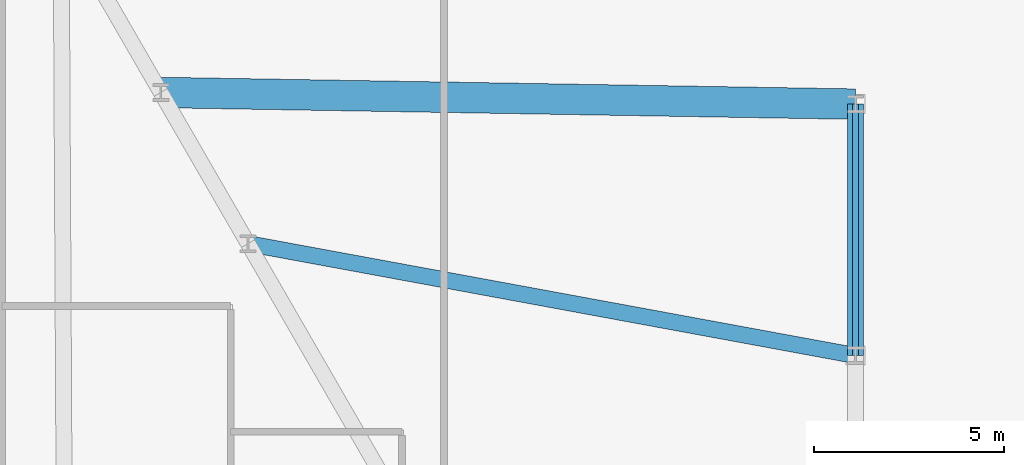
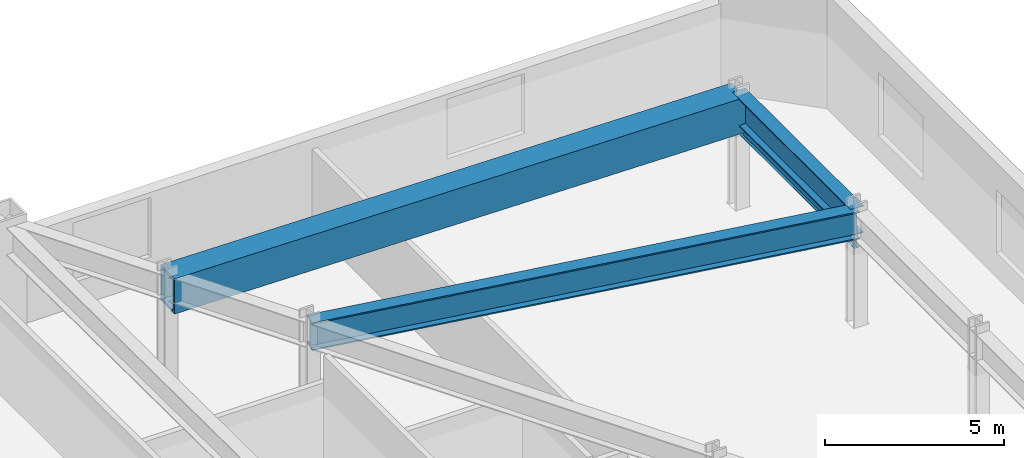
# One storey, part 11 of 22: 4 beams.
"""IFC4 building model written with IfcOpenShell, lengths in metres."""

from ifc_helpers import new_model, si_unit, direction, frame, origin, origin_2d, place, context, subcontext, project, spatial, hollow_rectangle, i_section, extrude, material, material_profile, profile_set, type_object, element, save


model = new_model("IFC4")

# Units and contexts
model_context = context("Model", 3, precision=1e-05, world=origin(), true_north=direction((0.0, 1.0)))
body_context = subcontext(model_context, "Body", "Model", "MODEL_VIEW")
ifc_project = project(units=[si_unit("LENGTHUNIT", "METRE"), si_unit("AREAUNIT", "SQUARE_METRE"), si_unit("VOLUMEUNIT", "CUBIC_METRE"), si_unit("PLANEANGLEUNIT", "RADIAN"), si_unit("MASSUNIT", "GRAM", prefix="KILO")], contexts=[model_context])

# Site, building, storey
site_placement = place(None, origin())
site = spatial("IfcSite", under=ifc_project, at=site_placement, CompositionType="ELEMENT")
building_placement = place(site_placement, origin())
building = spatial("IfcBuilding", under=site, at=building_placement, Name="Oramaril Tower", CompositionType="ELEMENT")
storey_placement = place(building_placement, frame((0.0, 0.0, 14.10009765625)))
storey = spatial("IfcBuildingStorey", under=building, at=storey_placement, Name="L03", CompositionType="ELEMENT", Elevation=14.10009765625)

# Beams
ifc_material_1 = material(Name="Steel ASTM A572 Gr 50", Category="steel")
ifc_material_profile_1 = material_profile(ifc_material_1, i_section(OverallWidth=0.1650390625, OverallDepth=0.31005859375, WebThickness=0.005859375, FlangeThickness=0.009765625, at=origin_2d()), Name="W12X26")
ifc_profile_set_1 = profile_set([ifc_material_profile_1], Name="Steel ASTM A572 Gr 50")
beam_type_1 = type_object("IfcBeamType", Name="BT-LN1", PredefinedType="LINTEL", material=ifc_profile_set_1)
beam_1_placement = place(storey_placement, frame((66.39990234375, 32.199951171875, 2.69482421875), z_axis=(0.0, 1.0, 0.0), x_axis=(-1.0, 0.0, 0.0)))
element("IfcBeam", 1, at=beam_1_placement, inside=storey, type_object=beam_type_1, Name="L03 Podium Opening Lintel Beam", PredefinedType="LINTEL", context=body_context, shape_type="SweptSolid", body=[
    extrude(i_section(OverallWidth=0.1650390625, OverallDepth=0.31005859375, WebThickness=0.005859375, FlangeThickness=0.009765625, at=origin_2d()), origin(), (0.0, 0.0, 1.0), 6.60009765625),
])
ifc_material_2 = material(Name="Steel ASTM A572 Gr 50", Category="steel")
ifc_material_profile_2 = material_profile(ifc_material_2, i_section(OverallWidth=0.424072265625, OverallDepth=0.947021484375, WebThickness=0.02392578125, FlangeThickness=0.042724609375, at=origin_2d()), Name="W36X302")
ifc_profile_set_2 = profile_set([ifc_material_profile_2], Name="Steel ASTM A572 Gr 50")
beam_type_2 = type_object("IfcBeamType", Name="BT-PG1", PredefinedType="BEAM", material=ifc_profile_set_2)
beam_2_placement = place(storey_placement, frame((66.39990234375, 32.199951171875, 3.4462890625), z_axis=(-0.983441112449, 0.181227973404, 0.0), x_axis=(-0.181227973404, -0.983441112449, 0.0)))
element("IfcBeam", 2, at=beam_2_placement, inside=storey, type_object=beam_type_2, Name="L03 Podium Clear-Span Girder 11", PredefinedType="BEAM", context=body_context, shape_type="SweptSolid", body=[
    extrude(i_section(OverallWidth=0.424072265625, OverallDepth=0.947021484375, WebThickness=0.02392578125, FlangeThickness=0.042724609375, at=origin_2d()), origin(), (0.0, 0.0, 1.0), 16.211669921875),
])
ifc_material_3 = material(Name="Steel ASTM A572 Gr 50", Category="steel")
ifc_material_profile_3 = material_profile(ifc_material_3, i_section(OverallWidth=0.4189453125, OverallDepth=0.927001953125, WebThickness=0.019287109375, FlangeThickness=0.031982421875, at=origin_2d()), Name="W36X231")
ifc_profile_set_3 = profile_set([ifc_material_profile_3], Name="Steel ASTM A572 Gr 50")
beam_type_3 = type_object("IfcBeamType", Name="BT-PG2", PredefinedType="BEAM", material=ifc_profile_set_3)
beam_3_placement = place(storey_placement, frame((66.39990234375, 32.199951171875, 3.456298828125), z_axis=(0.0, 1.0, 0.0), x_axis=(-1.0, 0.0, 0.0)))
element("IfcBeam", 3, at=beam_3_placement, inside=storey, type_object=beam_type_3, Name="L03 Podium Perimeter Girder 11", PredefinedType="BEAM", context=body_context, shape_type="SweptSolid", body=[
    extrude(i_section(OverallWidth=0.4189453125, OverallDepth=0.927001953125, WebThickness=0.019287109375, FlangeThickness=0.031982421875, at=origin_2d()), origin(), (0.0, 0.0, 1.0), 6.60009765625),
])
ifc_material_4 = material(Name="Steel ASTM A572 Gr 50", Category="steel")
ifc_material_profile_4 = material_profile(ifc_material_4, hollow_rectangle(XDim=0.800048828125, YDim=1.199951171875, WallThickness=0.074951171875, at=origin_2d()), Name="BOX1200X800X75")
ifc_profile_set_4 = profile_set([ifc_material_profile_4], Name="Steel ASTM A572 Gr 50")
beam_type_4 = type_object("IfcBeamType", Name="BT-TT1", PredefinedType="BEAM", material=ifc_profile_set_4)
beam_4_placement = place(storey_placement, frame((66.39990234375, 38.800048828125, 3.31982421875), z_axis=(-0.999859521862, 0.016761161682, 0.0), x_axis=(-0.016761161682, -0.999859521862, 0.0)))
element("IfcBeam", 4, at=beam_4_placement, inside=storey, type_object=beam_type_4, Name="L03 Podium Clear-Span Girder 12", PredefinedType="BEAM", context=body_context, shape_type="SweptSolid", body=[
    extrude(hollow_rectangle(XDim=0.800048828125, YDim=1.199951171875, WallThickness=0.074951171875, at=origin_2d()), origin(), (0.0, 0.0, 1.0), 18.236328125),
])

save(model, "model.ifc")
